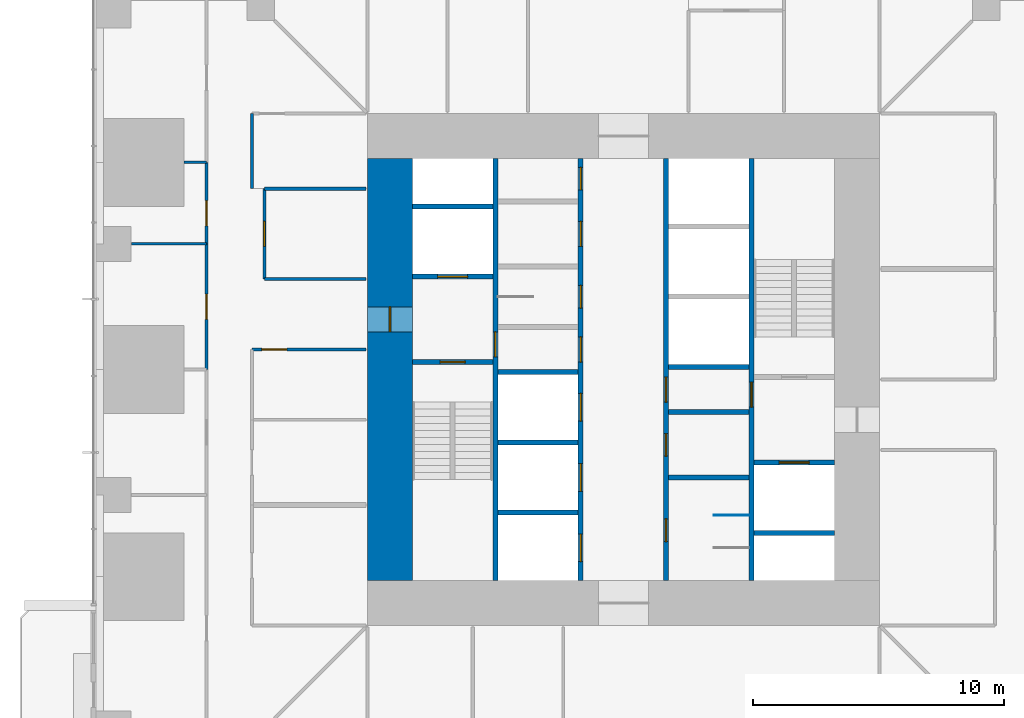
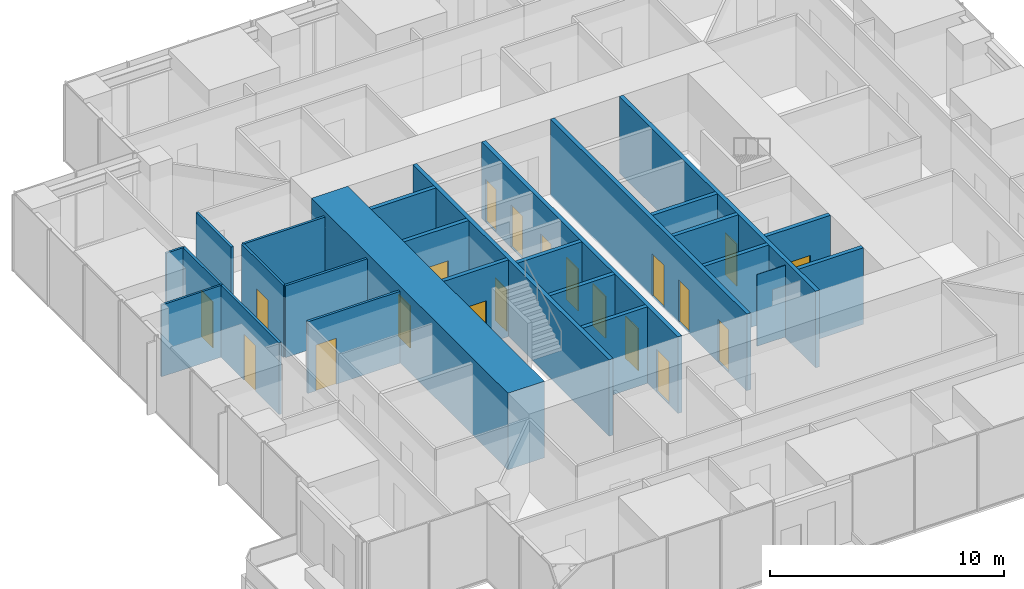
# One storey, part 12 of 18: 26 walls, 20 doors, 20 openings.
"""IFC4 building model written with IfcOpenShell, lengths in metres."""

from ifc_helpers import new_model, si_unit, direction, frame, frame_2d, origin, place, context, subcontext, project, spatial, rectangle, extrude, material, layer, layer_set, type_object, element, fill, save


model = new_model("IFC4")

# Units and contexts
model_context = context("Model", 3, precision=1e-05, world=origin(), true_north=direction((0.0, 1.0)))
body_context = subcontext(model_context, "Body", "Model", "MODEL_VIEW")
ifc_project = project(units=[si_unit("LENGTHUNIT", "METRE"), si_unit("AREAUNIT", "SQUARE_METRE"), si_unit("VOLUMEUNIT", "CUBIC_METRE"), si_unit("PLANEANGLEUNIT", "RADIAN"), si_unit("MASSUNIT", "GRAM", prefix="KILO")], contexts=[model_context])

# Site, building, storey
site_placement = place(None, origin())
site = spatial("IfcSite", under=ifc_project, at=site_placement, CompositionType="ELEMENT")
building_placement = place(site_placement, origin())
building = spatial("IfcBuilding", under=site, at=building_placement, Name="Svetlomir Tower", CompositionType="ELEMENT")
storey_placement = place(building_placement, frame((0.0, 0.0, 78.5)))
storey = spatial("IfcBuildingStorey", under=building, at=storey_placement, Name="L18", CompositionType="ELEMENT", Elevation=78.5)

# Wall, opening, door
ifc_material_1 = material(Name="Concrete C60/75", Category="concrete")
ifc_layer_1 = layer(ifc_material_1, 0.199951171875)
ifc_layer_set_1 = layer_set([ifc_layer_1], Name="Concrete C60/75")
wall_type_1 = type_object("IfcWallType", Name="CORE INNER WALL 200", PredefinedType="SHEAR", material=ifc_layer_set_1)
wall_1_placement = place(storey_placement, frame((15.89990234375, 12.60009765625, -0.050048828125), z_axis=(0.0, 0.0, 1.0), x_axis=(0.0, 1.0, 0.0)))
wall_1 = element("IfcWall", 1, at=wall_1_placement, inside=storey, type_object=wall_type_1, Name="Core inner wall 15.9 L18", PredefinedType="SHEAR", context=body_context, shape_type="SweptSolid", body=[
    extrude(rectangle(XDim=16.7998046875, YDim=0.199951171875, at=frame_2d((8.39990234375, 0.0))), origin(), (0.0, 0.0, 1.0), 4.0),
])
opening_1_placement = place(wall_1_placement, frame((8.89990234375, 0.0, 0.050048828125)))
opening_1 = element("IfcOpeningElement", 2, at=opening_1_placement, cuts=wall_1, Name="Opening DF", PredefinedType="OPENING", context=body_context, shape_type="SweptSolid", body=[
    extrude(rectangle(XDim=1.0, YDim=2.199951171875, at=frame_2d((0.5, 1.10009765625))), frame((0.0, 0.10986328125, 0.0), z_axis=(0.0, -1.0, 0.0), x_axis=(1.0, 0.0, 0.0)), (0.0, 0.0, 1.0), 0.219970703125),
])
ifc_material_2 = material(Name="Steel fire door", Category="steel")
door_type_1 = type_object("IfcDoorType", Name="DOOR DF 1000x2200", OperationType="SINGLE_SWING_LEFT", PredefinedType="DOOR", material=ifc_material_2)
door_1_placement = place(opening_1_placement, origin())
door_1 = element("IfcDoor", 3, at=door_1_placement, inside=storey, type_object=door_type_1, Name="Core corridor west door L18", OperationType="SINGLE_SWING_LEFT", OverallHeight=2.199951171875, OverallWidth=1.0, PredefinedType="DOOR", context=body_context, shape_type="SweptSolid", body=[
    extrude(rectangle(XDim=1.0, YDim=2.199951171875, at=frame_2d((0.5, 1.10009765625))), frame((0.0, 0.02490234375, 0.0), z_axis=(0.0, -1.0, 0.0), x_axis=(1.0, 0.0, 0.0)), (0.0, 0.0, 1.0), 0.050048828125),
])
fill(opening_1, door_1)

# Wall, openings, doors
wall_2_placement = place(storey_placement, frame((19.300048828125, 12.60009765625, -0.050048828125), z_axis=(0.0, 0.0, 1.0), x_axis=(0.0, 1.0, 0.0)))
wall_2 = element("IfcWall", 4, at=wall_2_placement, inside=storey, type_object=wall_type_1, Name="Core inner wall 19.3 L18", PredefinedType="SHEAR", context=body_context, shape_type="SweptSolid", body=[
    extrude(rectangle(XDim=16.7998046875, YDim=0.199951171875, at=frame_2d((8.39990234375, 0.0))), origin(), (0.0, 0.0, 1.0), 4.0),
])
opening_2_placement = place(wall_2_placement, frame((8.699951171875, 0.0, 0.050048828125)))
opening_2 = element("IfcOpeningElement", 5, at=opening_2_placement, cuts=wall_2, Name="Opening DC", PredefinedType="OPENING", context=body_context, shape_type="SweptSolid", body=[
    extrude(rectangle(XDim=1.0, YDim=2.199951171875, at=frame_2d((0.5, 1.10009765625))), frame((0.0, 0.10986328125, 0.0), z_axis=(0.0, -1.0, 0.0), x_axis=(1.0, 0.0, 0.0)), (0.0, 0.0, 1.0), 0.219970703125),
])
opening_3_placement = place(wall_2_placement, frame((10.85009765625, 0.0, 0.050048828125)))
opening_3 = element("IfcOpeningElement", 6, at=opening_3_placement, cuts=wall_2, Name="Opening DW", PredefinedType="OPENING", context=body_context, shape_type="SweptSolid", body=[
    extrude(rectangle(XDim=0.89990234375, YDim=2.199951171875, at=frame_2d((0.449951171875, 1.10009765625))), frame((0.0, 0.10986328125, 0.0), z_axis=(0.0, -1.0, 0.0), x_axis=(1.0, 0.0, 0.0)), (0.0, 0.0, 1.0), 0.219970703125),
])
opening_4_placement = place(wall_2_placement, frame((13.300048828125, 0.0, 0.050048828125)))
opening_4 = element("IfcOpeningElement", 7, at=opening_4_placement, cuts=wall_2, Name="Opening DC", PredefinedType="OPENING", context=body_context, shape_type="SweptSolid", body=[
    extrude(rectangle(XDim=1.0, YDim=2.199951171875, at=frame_2d((0.5, 1.10009765625))), frame((0.0, 0.10986328125, 0.0), z_axis=(0.0, -1.0, 0.0), x_axis=(1.0, 0.0, 0.0)), (0.0, 0.0, 1.0), 0.219970703125),
])
opening_5_placement = place(wall_2_placement, frame((15.550048828125, 0.0, 0.050048828125)))
opening_5 = element("IfcOpeningElement", 8, at=opening_5_placement, cuts=wall_2, Name="Opening DW", PredefinedType="OPENING", context=body_context, shape_type="SweptSolid", body=[
    extrude(rectangle(XDim=0.89990234375, YDim=2.199951171875, at=frame_2d((0.449951171875, 1.10009765625))), frame((0.0, 0.10986328125, 0.0), z_axis=(0.0, -1.0, 0.0), x_axis=(1.0, 0.0, 0.0)), (0.0, 0.0, 1.0), 0.219970703125),
])
opening_6_placement = place(wall_2_placement, frame((0.75, 0.0, 0.050048828125)))
opening_6 = element("IfcOpeningElement", 9, at=opening_6_placement, cuts=wall_2, Name="Opening LD", PredefinedType="OPENING", context=body_context, shape_type="SweptSolid", body=[
    extrude(rectangle(XDim=1.10009765625, YDim=2.199951171875, at=frame_2d((0.550048828125, 1.10009765625))), frame((0.0, 0.10986328125, 0.0), z_axis=(0.0, -1.0, 0.0), x_axis=(1.0, 0.0, 0.0)), (0.0, 0.0, 1.0), 0.219970703125),
])
opening_7_placement = place(wall_2_placement, frame((3.550048828125, 0.0, 0.050048828125)))
opening_7 = element("IfcOpeningElement", 10, at=opening_7_placement, cuts=wall_2, Name="Opening LD", PredefinedType="OPENING", context=body_context, shape_type="SweptSolid", body=[
    extrude(rectangle(XDim=1.10009765625, YDim=2.199951171875, at=frame_2d((0.550048828125, 1.10009765625))), frame((0.0, 0.10986328125, 0.0), z_axis=(0.0, -1.0, 0.0), x_axis=(1.0, 0.0, 0.0)), (0.0, 0.0, 1.0), 0.219970703125),
])
opening_8_placement = place(wall_2_placement, frame((6.35009765625, 0.0, 0.050048828125)))
opening_8 = element("IfcOpeningElement", 11, at=opening_8_placement, cuts=wall_2, Name="Opening LD", PredefinedType="OPENING", context=body_context, shape_type="SweptSolid", body=[
    extrude(rectangle(XDim=1.10009765625, YDim=2.199951171875, at=frame_2d((0.550048828125, 1.10009765625))), frame((0.0, 0.10986328125, 0.0), z_axis=(0.0, -1.0, 0.0), x_axis=(1.0, 0.0, 0.0)), (0.0, 0.0, 1.0), 0.219970703125),
])
ifc_material_3 = material(Name="Timber fire door", Category="wood")
door_type_2 = type_object("IfcDoorType", Name="DOOR DC 1000x2200", OperationType="SINGLE_SWING_LEFT", PredefinedType="DOOR", material=ifc_material_3)
door_2_placement = place(opening_2_placement, origin())
door_2 = element("IfcDoor", 12, at=door_2_placement, inside=storey, type_object=door_type_2, Name="Core corridor west lobby door L18", OperationType="SINGLE_SWING_LEFT", OverallHeight=2.199951171875, OverallWidth=1.0, PredefinedType="DOOR", context=body_context, shape_type="SweptSolid", body=[
    extrude(rectangle(XDim=1.0, YDim=2.199951171875, at=frame_2d((0.5, 1.10009765625))), frame((0.0, 0.02490234375, 0.0), z_axis=(0.0, -1.0, 0.0), x_axis=(1.0, 0.0, 0.0)), (0.0, 0.0, 1.0), 0.050048828125),
])
fill(opening_2, door_2)
door_3_placement = place(opening_4_placement, origin())
door_3 = element("IfcDoor", 13, at=door_3_placement, inside=storey, type_object=door_type_2, Name="Accessible WC door L18", OperationType="SINGLE_SWING_RIGHT", OverallHeight=2.199951171875, OverallWidth=1.0, PredefinedType="DOOR", context=body_context, shape_type="SweptSolid", body=[
    extrude(rectangle(XDim=1.0, YDim=2.199951171875, at=frame_2d((0.5, 1.10009765625))), frame((0.0, 0.02490234375, 0.0), z_axis=(0.0, -1.0, 0.0), x_axis=(1.0, 0.0, 0.0)), (0.0, 0.0, 1.0), 0.050048828125),
])
fill(opening_4, door_3)
ifc_material_4 = material(Name="Timber fire door", Category="wood")
door_type_3 = type_object("IfcDoorType", Name="DOOR DW 900x2200", OperationType="SINGLE_SWING_LEFT", PredefinedType="DOOR", material=ifc_material_4)
door_4_placement = place(opening_3_placement, origin())
door_4 = element("IfcDoor", 14, at=door_4_placement, inside=storey, type_object=door_type_3, Name="Female WC door L18", OperationType="SINGLE_SWING_LEFT", OverallHeight=2.199951171875, OverallWidth=0.89990234375, PredefinedType="DOOR", context=body_context, shape_type="SweptSolid", body=[
    extrude(rectangle(XDim=0.89990234375, YDim=2.199951171875, at=frame_2d((0.449951171875, 1.10009765625))), frame((0.0, 0.02490234375, 0.0), z_axis=(0.0, -1.0, 0.0), x_axis=(1.0, 0.0, 0.0)), (0.0, 0.0, 1.0), 0.050048828125),
])
fill(opening_3, door_4)
door_5_placement = place(opening_5_placement, origin())
door_5 = element("IfcDoor", 15, at=door_5_placement, inside=storey, type_object=door_type_3, Name="First aid room door L18", OperationType="SINGLE_SWING_LEFT", OverallHeight=2.199951171875, OverallWidth=0.89990234375, PredefinedType="DOOR", context=body_context, shape_type="SweptSolid", body=[
    extrude(rectangle(XDim=0.89990234375, YDim=2.199951171875, at=frame_2d((0.449951171875, 1.10009765625))), frame((0.0, 0.02490234375, 0.0), z_axis=(0.0, -1.0, 0.0), x_axis=(1.0, 0.0, 0.0)), (0.0, 0.0, 1.0), 0.050048828125),
])
fill(opening_5, door_5)
ifc_material_5 = material(Name="Stainless steel landing door", Category="steel")
door_type_4 = type_object("IfcDoorType", Name="LIFT LANDING DOOR LD 1100x2200", OperationType="DOUBLE_DOOR_SLIDING", PredefinedType="DOOR", material=ifc_material_5)
door_6_placement = place(opening_6_placement, origin())
door_6 = element("IfcDoor", 16, at=door_6_placement, inside=storey, type_object=door_type_4, Name="Landing door lift LA1 L18", OperationType="DOUBLE_DOOR_SLIDING", OverallHeight=2.199951171875, OverallWidth=1.10009765625, PredefinedType="DOOR", context=body_context, shape_type="SweptSolid", body=[
    extrude(rectangle(XDim=1.10009765625, YDim=2.199951171875, at=frame_2d((0.550048828125, 1.10009765625))), frame((0.0, 0.02490234375, 0.0), z_axis=(0.0, -1.0, 0.0), x_axis=(1.0, 0.0, 0.0)), (0.0, 0.0, 1.0), 0.050048828125),
])
fill(opening_6, door_6)
door_7_placement = place(opening_7_placement, origin())
door_7 = element("IfcDoor", 17, at=door_7_placement, inside=storey, type_object=door_type_4, Name="Landing door lift LA2 L18", OperationType="DOUBLE_DOOR_SLIDING", OverallHeight=2.199951171875, OverallWidth=1.10009765625, PredefinedType="DOOR", context=body_context, shape_type="SweptSolid", body=[
    extrude(rectangle(XDim=1.10009765625, YDim=2.199951171875, at=frame_2d((0.550048828125, 1.10009765625))), frame((0.0, 0.02490234375, 0.0), z_axis=(0.0, -1.0, 0.0), x_axis=(1.0, 0.0, 0.0)), (0.0, 0.0, 1.0), 0.050048828125),
])
fill(opening_7, door_7)
door_8_placement = place(opening_8_placement, origin())
door_8 = element("IfcDoor", 18, at=door_8_placement, inside=storey, type_object=door_type_4, Name="Landing door lift LA3 L18", OperationType="DOUBLE_DOOR_SLIDING", OverallHeight=2.199951171875, OverallWidth=1.10009765625, PredefinedType="DOOR", context=body_context, shape_type="SweptSolid", body=[
    extrude(rectangle(XDim=1.10009765625, YDim=2.199951171875, at=frame_2d((0.550048828125, 1.10009765625))), frame((0.0, 0.02490234375, 0.0), z_axis=(0.0, -1.0, 0.0), x_axis=(1.0, 0.0, 0.0)), (0.0, 0.0, 1.0), 0.050048828125),
])
fill(opening_8, door_8)

wall_3_placement = place(storey_placement, frame((22.699951171875, 12.60009765625, -0.050048828125), z_axis=(0.0, 0.0, 1.0), x_axis=(0.0, 1.0, 0.0)))
wall_3 = element("IfcWall", 19, at=wall_3_placement, inside=storey, type_object=wall_type_1, Name="Core inner wall 22.7 L18", PredefinedType="SHEAR", context=body_context, shape_type="SweptSolid", body=[
    extrude(rectangle(XDim=16.7998046875, YDim=0.199951171875, at=frame_2d((8.39990234375, 0.0))), origin(), (0.0, 0.0, 1.0), 4.0),
])
opening_9_placement = place(wall_3_placement, frame((7.10009765625, 0.0, 0.050048828125)))
opening_9 = element("IfcOpeningElement", 20, at=opening_9_placement, cuts=wall_3, Name="Opening DC", PredefinedType="OPENING", context=body_context, shape_type="SweptSolid", body=[
    extrude(rectangle(XDim=1.0, YDim=2.199951171875, at=frame_2d((0.5, 1.10009765625))), frame((0.0, 0.10986328125, 0.0), z_axis=(0.0, -1.0, 0.0), x_axis=(1.0, 0.0, 0.0)), (0.0, 0.0, 1.0), 0.219970703125),
])
opening_10_placement = place(wall_3_placement, frame((1.550048828125, 0.0, 0.050048828125)))
opening_10 = element("IfcOpeningElement", 21, at=opening_10_placement, cuts=wall_3, Name="Opening DW", PredefinedType="OPENING", context=body_context, shape_type="SweptSolid", body=[
    extrude(rectangle(XDim=0.89990234375, YDim=2.199951171875, at=frame_2d((0.449951171875, 1.10009765625))), frame((0.0, 0.10986328125, 0.0), z_axis=(0.0, -1.0, 0.0), x_axis=(1.0, 0.0, 0.0)), (0.0, 0.0, 1.0), 0.219970703125),
])
opening_11_placement = place(wall_3_placement, frame((4.949951171875, 0.0, 0.050048828125)))
opening_11 = element("IfcOpeningElement", 22, at=opening_11_placement, cuts=wall_3, Name="Opening DW", PredefinedType="OPENING", context=body_context, shape_type="SweptSolid", body=[
    extrude(rectangle(XDim=0.89990234375, YDim=2.199951171875, at=frame_2d((0.449951171875, 1.10009765625))), frame((0.0, 0.10986328125, 0.0), z_axis=(0.0, -1.0, 0.0), x_axis=(1.0, 0.0, 0.0)), (0.0, 0.0, 1.0), 0.219970703125),
])
door_9_placement = place(opening_9_placement, origin())
door_9 = element("IfcDoor", 23, at=door_9_placement, inside=storey, type_object=door_type_2, Name="Core corridor east lobby door L18", OperationType="SINGLE_SWING_RIGHT", OverallHeight=2.199951171875, OverallWidth=1.0, PredefinedType="DOOR", context=body_context, shape_type="SweptSolid", body=[
    extrude(rectangle(XDim=1.0, YDim=2.199951171875, at=frame_2d((0.5, 1.10009765625))), frame((0.0, 0.02490234375, 0.0), z_axis=(0.0, -1.0, 0.0), x_axis=(1.0, 0.0, 0.0)), (0.0, 0.0, 1.0), 0.050048828125),
])
fill(opening_9, door_9)
door_10_placement = place(opening_10_placement, origin())
door_10 = element("IfcDoor", 24, at=door_10_placement, inside=storey, type_object=door_type_3, Name="Male WC door L18", OperationType="SINGLE_SWING_RIGHT", OverallHeight=2.199951171875, OverallWidth=0.89990234375, PredefinedType="DOOR", context=body_context, shape_type="SweptSolid", body=[
    extrude(rectangle(XDim=0.89990234375, YDim=2.199951171875, at=frame_2d((0.449951171875, 1.10009765625))), frame((0.0, 0.02490234375, 0.0), z_axis=(0.0, -1.0, 0.0), x_axis=(1.0, 0.0, 0.0)), (0.0, 0.0, 1.0), 0.050048828125),
])
fill(opening_10, door_10)
door_11_placement = place(opening_11_placement, origin())
door_11 = element("IfcDoor", 25, at=door_11_placement, inside=storey, type_object=door_type_3, Name="Comms room door L18", OperationType="SINGLE_SWING_LEFT", OverallHeight=2.199951171875, OverallWidth=0.89990234375, PredefinedType="DOOR", context=body_context, shape_type="SweptSolid", body=[
    extrude(rectangle(XDim=0.89990234375, YDim=2.199951171875, at=frame_2d((0.449951171875, 1.10009765625))), frame((0.0, 0.02490234375, 0.0), z_axis=(0.0, -1.0, 0.0), x_axis=(1.0, 0.0, 0.0)), (0.0, 0.0, 1.0), 0.050048828125),
])
fill(opening_11, door_11)

# Wall, opening, door
wall_4_placement = place(storey_placement, frame((26.10009765625, 12.60009765625, -0.050048828125), z_axis=(0.0, 0.0, 1.0), x_axis=(0.0, 1.0, 0.0)))
wall_4 = element("IfcWall", 26, at=wall_4_placement, inside=storey, type_object=wall_type_1, Name="Core inner wall 26.1 L18", PredefinedType="SHEAR", context=body_context, shape_type="SweptSolid", body=[
    extrude(rectangle(XDim=16.7998046875, YDim=0.199951171875, at=frame_2d((8.39990234375, 0.0))), origin(), (0.0, 0.0, 1.0), 4.0),
])
opening_12_placement = place(wall_4_placement, frame((6.89990234375, 0.0, 0.050048828125)))
opening_12 = element("IfcOpeningElement", 27, at=opening_12_placement, cuts=wall_4, Name="Opening DF", PredefinedType="OPENING", context=body_context, shape_type="SweptSolid", body=[
    extrude(rectangle(XDim=1.0, YDim=2.199951171875, at=frame_2d((0.5, 1.10009765625))), frame((0.0, 0.10986328125, 0.0), z_axis=(0.0, -1.0, 0.0), x_axis=(1.0, 0.0, 0.0)), (0.0, 0.0, 1.0), 0.219970703125),
])
door_12_placement = place(opening_12_placement, origin())
door_12 = element("IfcDoor", 28, at=door_12_placement, inside=storey, type_object=door_type_1, Name="Core corridor east door L18", OperationType="SINGLE_SWING_LEFT", OverallHeight=2.199951171875, OverallWidth=1.0, PredefinedType="DOOR", context=body_context, shape_type="SweptSolid", body=[
    extrude(rectangle(XDim=1.0, YDim=2.199951171875, at=frame_2d((0.5, 1.10009765625))), frame((0.0, 0.02490234375, 0.0), z_axis=(0.0, -1.0, 0.0), x_axis=(1.0, 0.0, 0.0)), (0.0, 0.0, 1.0), 0.050048828125),
])
fill(opening_12, door_12)

wall_5_placement = place(storey_placement, frame((12.60009765625, 21.300048828125, -0.050048828125), z_axis=(0.0, 0.0, 1.0), x_axis=(1.0, 0.0, 0.0)))
wall_5 = element("IfcWall", 29, at=wall_5_placement, inside=storey, type_object=wall_type_1, Name="Core inner wall 12.6-15.8/21.3 L18", PredefinedType="SHEAR", context=body_context, shape_type="SweptSolid", body=[
    extrude(rectangle(XDim=3.199951171875, YDim=0.199951171875, at=frame_2d((1.60009765625, 0.0))), origin(), (0.0, 0.0, 1.0), 4.0),
])
opening_13_placement = place(wall_5_placement, frame((1.10009765625, 0.0, 0.050048828125)))
opening_13 = element("IfcOpeningElement", 30, at=opening_13_placement, cuts=wall_5, Name="Opening DF", PredefinedType="OPENING", context=body_context, shape_type="SweptSolid", body=[
    extrude(rectangle(XDim=1.0, YDim=2.199951171875, at=frame_2d((0.5, 1.10009765625))), frame((0.0, 0.10986328125, 0.0), z_axis=(0.0, -1.0, 0.0), x_axis=(1.0, 0.0, 0.0)), (0.0, 0.0, 1.0), 0.219970703125),
])
door_13_placement = place(opening_13_placement, origin())
door_13 = element("IfcDoor", 31, at=door_13_placement, inside=storey, type_object=door_type_1, Name="Stair S1 door L18", OperationType="SINGLE_SWING_LEFT", OverallHeight=2.199951171875, OverallWidth=1.0, PredefinedType="DOOR", context=body_context, shape_type="SweptSolid", body=[
    extrude(rectangle(XDim=1.0, YDim=2.199951171875, at=frame_2d((0.5, 1.10009765625))), frame((0.0, 0.02490234375, 0.0), z_axis=(0.0, -1.0, 0.0), x_axis=(1.0, 0.0, 0.0)), (0.0, 0.0, 1.0), 0.050048828125),
])
fill(opening_13, door_13)

wall_6_placement = place(storey_placement, frame((12.60009765625, 24.699951171875, -0.050048828125), z_axis=(0.0, 0.0, 1.0), x_axis=(1.0, 0.0, 0.0)))
wall_6 = element("IfcWall", 32, at=wall_6_placement, inside=storey, type_object=wall_type_1, Name="Core inner wall 12.6-15.8/24.7 L18", PredefinedType="SHEAR", context=body_context, shape_type="SweptSolid", body=[
    extrude(rectangle(XDim=3.199951171875, YDim=0.199951171875, at=frame_2d((1.60009765625, 0.0))), origin(), (0.0, 0.0, 1.0), 4.0),
])
opening_14_placement = place(wall_6_placement, frame((1.0, 0.0, 0.050048828125)))
opening_14 = element("IfcOpeningElement", 33, at=opening_14_placement, cuts=wall_6, Name="Opening LD3", PredefinedType="OPENING", context=body_context, shape_type="SweptSolid", body=[
    extrude(rectangle(XDim=1.199951171875, YDim=2.199951171875, at=frame_2d((0.60009765625, 1.10009765625))), frame((0.0, 0.10986328125, 0.0), z_axis=(0.0, -1.0, 0.0), x_axis=(1.0, 0.0, 0.0)), (0.0, 0.0, 1.0), 0.219970703125),
])
ifc_material_6 = material(Name="Stainless steel fire-rated landing door", Category="steel")
door_type_5 = type_object("IfcDoorType", Name="FIREFIGHTING LIFT LANDING DOOR LD3 1200x2200", OperationType="DOUBLE_DOOR_SLIDING", PredefinedType="DOOR", material=ifc_material_6)
door_14_placement = place(opening_14_placement, origin())
door_14 = element("IfcDoor", 34, at=door_14_placement, inside=storey, type_object=door_type_5, Name="Landing door lift FL1 L18", OperationType="DOUBLE_DOOR_SLIDING", OverallHeight=2.199951171875, OverallWidth=1.199951171875, PredefinedType="DOOR", context=body_context, shape_type="SweptSolid", body=[
    extrude(rectangle(XDim=1.199951171875, YDim=2.199951171875, at=frame_2d((0.60009765625, 1.10009765625))), frame((0.0, 0.02490234375, 0.0), z_axis=(0.0, -1.0, 0.0), x_axis=(1.0, 0.0, 0.0)), (0.0, 0.0, 1.0), 0.050048828125),
])
fill(opening_14, door_14)

# Walls
for number, where, z_axis, x_axis, name in (
    (35, (12.60009765625, 27.5, -0.050048828125), (0.0, 0.0, 1.0), (1.0, 0.0, 0.0), "Core inner wall 12.6-15.8/27.5 L18"),
    (36, (16.0, 15.300048828125, -0.050048828125), (0.0, 0.0, 1.0), (1.0, 0.0, 0.0), "Core inner wall 16-19.2/15.3 L18"),
    (37, (16.0, 18.10009765625, -0.050048828125), (0.0, 0.0, 1.0), (1.0, 0.0, 0.0), "Core inner wall 16-19.2/18.1 L18"),
    (38, (16.0, 20.89990234375, -0.050048828125), (0.0, 0.0, 1.0), (1.0, 0.0, 0.0), "Core inner wall 16-19.2/20.9 L18"),
    (39, (22.800048828125, 16.699951171875, -0.050048828125), (0.0, 0.0, 1.0), (1.0, 0.0, 0.0), "Core inner wall 22.8-26/16.7 L18"),
    (40, (22.800048828125, 19.300048828125, -0.050048828125), (0.0, 0.0, 1.0), (1.0, 0.0, 0.0), "Core inner wall 22.8-26/19.3 L18"),
    (41, (22.800048828125, 21.10009765625, -0.050048828125), (0.0, 0.0, 1.0), (1.0, 0.0, 0.0), "Core inner wall 22.8-26/21.1 L18"),
    (42, (26.199951171875, 14.5, -0.050048828125), (0.0, 0.0, 1.0), (1.0, 0.0, 0.0), "Core inner wall 26.2-29.4/14.5 L18"),
):
    element("IfcWall", number, at=place(storey_placement, frame(where, z_axis=z_axis, x_axis=x_axis)), inside=storey, type_object=wall_type_1, Name=name, PredefinedType="SHEAR", context=body_context, shape_type="SweptSolid", body=[
        extrude(rectangle(XDim=3.199951171875, YDim=0.199951171875, at=frame_2d((1.60009765625, 0.0))), origin(), (0.0, 0.0, 1.0), 4.0),
    ])

# Wall, opening, door
wall_7_placement = place(storey_placement, frame((26.199951171875, 17.300048828125, -0.050048828125), z_axis=(0.0, 0.0, 1.0), x_axis=(1.0, 0.0, 0.0)))
wall_7 = element("IfcWall", 43, at=wall_7_placement, inside=storey, type_object=wall_type_1, Name="Core inner wall 26.2-29.4/17.3 L18", PredefinedType="SHEAR", context=body_context, shape_type="SweptSolid", body=[
    extrude(rectangle(XDim=3.199951171875, YDim=0.199951171875, at=frame_2d((1.60009765625, 0.0))), origin(), (0.0, 0.0, 1.0), 4.0),
])
opening_15_placement = place(wall_7_placement, frame((1.0, 0.0, 0.050048828125)))
opening_15 = element("IfcOpeningElement", 44, at=opening_15_placement, cuts=wall_7, Name="Opening LD3", PredefinedType="OPENING", context=body_context, shape_type="SweptSolid", body=[
    extrude(rectangle(XDim=1.199951171875, YDim=2.199951171875, at=frame_2d((0.60009765625, 1.10009765625))), frame((0.0, 0.10986328125, 0.0), z_axis=(0.0, -1.0, 0.0), x_axis=(1.0, 0.0, 0.0)), (0.0, 0.0, 1.0), 0.219970703125),
])
door_15_placement = place(opening_15_placement, origin())
door_15 = element("IfcDoor", 45, at=door_15_placement, inside=storey, type_object=door_type_5, Name="Landing door lift FL2 L18", OperationType="DOUBLE_DOOR_SLIDING", OverallHeight=2.199951171875, OverallWidth=1.199951171875, PredefinedType="DOOR", context=body_context, shape_type="SweptSolid", body=[
    extrude(rectangle(XDim=1.199951171875, YDim=2.199951171875, at=frame_2d((0.60009765625, 1.10009765625))), frame((0.0, 0.02490234375, 0.0), z_axis=(0.0, -1.0, 0.0), x_axis=(1.0, 0.0, 0.0)), (0.0, 0.0, 1.0), 0.050048828125),
])
fill(opening_15, door_15)

ifc_material_7 = material(Name="Concrete C60/75", Category="concrete")
ifc_layer_2 = layer(ifc_material_7, 1.800048828125)
ifc_layer_set_2 = layer_set([ifc_layer_2], Name="Concrete C60/75")
wall_type_2 = type_object("IfcWallType", Name="CORE WALL 1800", PredefinedType="SHEAR", material=ifc_layer_set_2)
wall_8_placement = place(storey_placement, frame((11.699951171875, 12.60009765625, -0.050048828125), z_axis=(0.0, 0.0, 1.0), x_axis=(0.0, 1.0, 0.0)))
wall_8 = element("IfcWall", 46, at=wall_8_placement, inside=storey, type_object=wall_type_2, Name="Core wall west L18", PredefinedType="SHEAR", context=body_context, shape_type="SweptSolid", body=[
    extrude(rectangle(XDim=16.7998046875, YDim=1.800048828125, at=frame_2d((8.39990234375, 0.0))), origin(), (0.0, 0.0, 1.0), 4.0),
])
opening_16_placement = place(wall_8_placement, frame((9.89990234375, 0.0, 0.050048828125)))
opening_16 = element("IfcOpeningElement", 47, at=opening_16_placement, cuts=wall_8, Name="Opening DF", PredefinedType="OPENING", context=body_context, shape_type="SweptSolid", body=[
    extrude(rectangle(XDim=1.0, YDim=2.199951171875, at=frame_2d((0.5, 1.10009765625))), frame((0.0, 0.91015625, 0.0), z_axis=(0.0, -1.0, 0.0), x_axis=(1.0, 0.0, 0.0)), (0.0, 0.0, 1.0), 1.820068359375),
])
door_16_placement = place(opening_16_placement, origin())
door_16 = element("IfcDoor", 48, at=door_16_placement, inside=storey, type_object=door_type_1, Name="Firefighting lobby west door L18", OperationType="SINGLE_SWING_LEFT", OverallHeight=2.199951171875, OverallWidth=1.0, PredefinedType="DOOR", context=body_context, shape_type="SweptSolid", body=[
    extrude(rectangle(XDim=1.0, YDim=2.199951171875, at=frame_2d((0.5, 1.10009765625))), frame((0.0, 0.02490234375, 0.0), z_axis=(0.0, -1.0, 0.0), x_axis=(1.0, 0.0, 0.0)), (0.0, 0.0, 1.0), 0.050048828125),
])
fill(opening_16, door_16)

# Walls
ifc_material_8 = material(Name="Framed laminated glass partition", Category="glass")
ifc_layer_3 = layer(ifc_material_8, 0.10009765625)
ifc_layer_set_3 = layer_set([ifc_layer_3], Name="Framed laminated glass partition")
wall_type_3 = type_object("IfcWallType", Name="GLAZED PARTITION 100", PredefinedType="PARTITIONING", material=ifc_layer_set_3)
wall_9_placement = place(storey_placement, frame((1.409912109375, 26.0, 0.0), z_axis=(0.0, 0.0, 1.0), x_axis=(1.0, 0.0, 0.0)))
element("IfcWall", 49, at=wall_9_placement, inside=storey, type_object=wall_type_3, Name="Glazed partition L18", PredefinedType="PARTITIONING", context=body_context, shape_type="SweptSolid", body=[
    extrude(rectangle(XDim=2.989990234375, YDim=0.10009765625, at=frame_2d((1.4951171875, 0.0))), origin(), (0.0, 0.0, 1.0), 3.75),
])
wall_10_placement = place(storey_placement, frame((3.510009765625, 29.25, 0.0), z_axis=(0.0, 0.0, 1.0), x_axis=(1.0, 0.0, 0.0)))
element("IfcWall", 50, at=wall_10_placement, inside=storey, type_object=wall_type_3, Name="Glazed partition L18", PredefinedType="PARTITIONING", context=body_context, shape_type="SweptSolid", body=[
    extrude(rectangle(XDim=0.889892578125, YDim=0.10009765625, at=frame_2d((0.44482421875, 0.0))), origin(), (0.0, 0.0, 1.0), 3.75),
])

# Wall, opening, door
ifc_material_9 = material(Name="Gypsum board on steel studs", Category="steel")
ifc_layer_4 = layer(ifc_material_9, 0.1201171875)
ifc_layer_set_4 = layer_set([ifc_layer_4], Name="Gypsum board on steel studs")
wall_type_4 = type_object("IfcWallType", Name="PARTITION 120", PredefinedType="PARTITIONING", material=ifc_layer_set_4)
wall_11_placement = place(storey_placement, frame((4.39990234375, 21.0, 0.0), z_axis=(0.0, 0.0, 1.0), x_axis=(0.0, 1.0, 0.0)))
wall_11 = element("IfcWall", 51, at=wall_11_placement, inside=storey, type_object=wall_type_4, Name="Partition L18", PredefinedType="PARTITIONING", context=body_context, shape_type="SweptSolid", body=[
    extrude(rectangle(XDim=5.0, YDim=0.1201171875, at=frame_2d((2.5, 0.0))), origin(), (0.0, 0.0, 1.0), 3.75),
])
opening_17_placement = place(wall_11_placement, frame((2.0, 0.0, 0.0)))
opening_17 = element("IfcOpeningElement", 52, at=opening_17_placement, cuts=wall_11, Name="Opening DG", PredefinedType="OPENING", context=body_context, shape_type="SweptSolid", body=[
    extrude(rectangle(XDim=1.0, YDim=2.39990234375, at=frame_2d((0.5, 1.199951171875))), frame((0.0, 0.070068359375, 0.0), z_axis=(0.0, -1.0, 0.0), x_axis=(1.0, 0.0, 0.0)), (0.0, 0.0, 1.0), 0.14013671875),
])
ifc_material_10 = material(Name="Framed laminated glass door", Category="glass")
door_type_6 = type_object("IfcDoorType", Name="GLAZED DOOR DG 1000x2400", OperationType="SINGLE_SWING_LEFT", PredefinedType="DOOR", material=ifc_material_10)
door_17_placement = place(opening_17_placement, origin())
door_17 = element("IfcDoor", 53, at=door_17_placement, inside=storey, type_object=door_type_6, Name="Ring corridor 3 door 2 L18", OperationType="SINGLE_SWING_LEFT", OverallHeight=2.39990234375, OverallWidth=1.0, PredefinedType="DOOR", context=body_context, shape_type="SweptSolid", body=[
    extrude(rectangle(XDim=1.0, YDim=2.39990234375, at=frame_2d((0.5, 1.199951171875))), frame((0.0, 0.02490234375, 0.0), z_axis=(0.0, -1.0, 0.0), x_axis=(1.0, 0.0, 0.0)), (0.0, 0.0, 1.0), 0.050048828125),
])
fill(opening_17, door_17)

wall_12_placement = place(storey_placement, frame((4.39990234375, 26.0, 0.0), z_axis=(0.0, 0.0, 1.0), x_axis=(0.0, 1.0, 0.0)))
wall_12 = element("IfcWall", 54, at=wall_12_placement, inside=storey, type_object=wall_type_4, Name="Partition L18", PredefinedType="PARTITIONING", context=body_context, shape_type="SweptSolid", body=[
    extrude(rectangle(XDim=3.25, YDim=0.1201171875, at=frame_2d((1.625, 0.0))), origin(), (0.0, 0.0, 1.0), 3.75),
])
opening_18_placement = place(wall_12_placement, frame((0.72509765625, 0.0, 0.0)))
opening_18 = element("IfcOpeningElement", 55, at=opening_18_placement, cuts=wall_12, Name="Opening DG", PredefinedType="OPENING", context=body_context, shape_type="SweptSolid", body=[
    extrude(rectangle(XDim=1.0, YDim=2.39990234375, at=frame_2d((0.5, 1.199951171875))), frame((0.0, 0.070068359375, 0.0), z_axis=(0.0, -1.0, 0.0), x_axis=(1.0, 0.0, 0.0)), (0.0, 0.0, 1.0), 0.14013671875),
])
door_18_placement = place(opening_18_placement, origin())
door_18 = element("IfcDoor", 56, at=door_18_placement, inside=storey, type_object=door_type_6, Name="Audit analytics room door L18", OperationType="SINGLE_SWING_LEFT", OverallHeight=2.39990234375, OverallWidth=1.0, PredefinedType="DOOR", context=body_context, shape_type="SweptSolid", body=[
    extrude(rectangle(XDim=1.0, YDim=2.39990234375, at=frame_2d((0.5, 1.199951171875))), frame((0.0, 0.02490234375, 0.0), z_axis=(0.0, -1.0, 0.0), x_axis=(1.0, 0.0, 0.0)), (0.0, 0.0, 1.0), 0.050048828125),
])
fill(opening_18, door_18)

wall_13_placement = place(storey_placement, frame((6.199951171875, 21.800048828125, 0.0), z_axis=(0.0, 0.0, 1.0), x_axis=(1.0, 0.0, 0.0)))
wall_13 = element("IfcWall", 57, at=wall_13_placement, inside=storey, type_object=wall_type_4, Name="Partition L18", PredefinedType="PARTITIONING", context=body_context, shape_type="SweptSolid", body=[
    extrude(rectangle(XDim=4.550048828125, YDim=0.1201171875, at=frame_2d((2.27490234375, 0.0))), origin(), (0.0, 0.0, 1.0), 3.75),
])
opening_19_placement = place(wall_13_placement, frame((0.39990234375, 0.0, 0.0)))
opening_19 = element("IfcOpeningElement", 58, at=opening_19_placement, cuts=wall_13, Name="Opening DG", PredefinedType="OPENING", context=body_context, shape_type="SweptSolid", body=[
    extrude(rectangle(XDim=1.0, YDim=2.39990234375, at=frame_2d((0.5, 1.199951171875))), frame((0.0, 0.070068359375, 0.0), z_axis=(0.0, -1.0, 0.0), x_axis=(1.0, 0.0, 0.0)), (0.0, 0.0, 1.0), 0.14013671875),
])
door_19_placement = place(opening_19_placement, origin())
door_19 = element("IfcDoor", 59, at=door_19_placement, inside=storey, type_object=door_type_6, Name="Ring corridor 3 door 5 L18", OperationType="SINGLE_SWING_LEFT", OverallHeight=2.39990234375, OverallWidth=1.0, PredefinedType="DOOR", context=body_context, shape_type="SweptSolid", body=[
    extrude(rectangle(XDim=1.0, YDim=2.39990234375, at=frame_2d((0.5, 1.199951171875))), frame((0.0, 0.02490234375, 0.0), z_axis=(0.0, -1.0, 0.0), x_axis=(1.0, 0.0, 0.0)), (0.0, 0.0, 1.0), 0.050048828125),
])
fill(opening_19, door_19)

# Wall
wall_14_placement = place(storey_placement, frame((6.199951171875, 28.199951171875, 0.0), z_axis=(0.0, 0.0, 1.0), x_axis=(0.0, 1.0, 0.0)))
element("IfcWall", 60, at=wall_14_placement, inside=storey, type_object=wall_type_4, Name="Partition L18", PredefinedType="PARTITIONING", context=body_context, shape_type="SweptSolid", body=[
    extrude(rectangle(XDim=3.0, YDim=0.1201171875, at=frame_2d((1.5, 0.0))), origin(), (0.0, 0.0, 1.0), 3.75),
])

# Wall, opening, door
wall_15_placement = place(storey_placement, frame((6.699951171875, 24.60009765625, 0.0), z_axis=(0.0, 0.0, 1.0), x_axis=(0.0, 1.0, 0.0)))
wall_15 = element("IfcWall", 61, at=wall_15_placement, inside=storey, type_object=wall_type_4, Name="Partition L18", PredefinedType="PARTITIONING", context=body_context, shape_type="SweptSolid", body=[
    extrude(rectangle(XDim=3.599853515625, YDim=0.1201171875, at=frame_2d((1.7998046875, 0.0))), origin(), (0.0, 0.0, 1.0), 3.75),
])
opening_20_placement = place(wall_15_placement, frame((1.300048828125, 0.0, 0.0)))
opening_20 = element("IfcOpeningElement", 62, at=opening_20_placement, cuts=wall_15, Name="Opening DR", PredefinedType="OPENING", context=body_context, shape_type="SweptSolid", body=[
    extrude(rectangle(XDim=1.0, YDim=2.199951171875, at=frame_2d((0.5, 1.10009765625))), frame((0.0, 0.070068359375, 0.0), z_axis=(0.0, -1.0, 0.0), x_axis=(1.0, 0.0, 0.0)), (0.0, 0.0, 1.0), 0.14013671875),
])
ifc_material_11 = material(Name="Timber door, glazed side light", Category="wood")
door_type_7 = type_object("IfcDoorType", Name="DOOR DR 1000x2200", OperationType="SINGLE_SWING_LEFT", PredefinedType="DOOR", material=ifc_material_11)
door_20_placement = place(opening_20_placement, origin())
door_20 = element("IfcDoor", 63, at=door_20_placement, inside=storey, type_object=door_type_7, Name="Evidence store door L18", OperationType="SINGLE_SWING_RIGHT", OverallHeight=2.199951171875, OverallWidth=1.0, PredefinedType="DOOR", context=body_context, shape_type="SweptSolid", body=[
    extrude(rectangle(XDim=1.0, YDim=2.199951171875, at=frame_2d((0.5, 1.10009765625))), frame((0.0, 0.02490234375, 0.0), z_axis=(0.0, -1.0, 0.0), x_axis=(1.0, 0.0, 0.0)), (0.0, 0.0, 1.0), 0.050048828125),
])
fill(opening_20, door_20)

# Walls
for number, where, z_axis, x_axis, name in (
    (64, (6.699951171875, 24.60009765625, 0.0), (0.0, 0.0, 1.0), (1.0, 0.0, 0.0), "Partition L18"),
    (65, (6.699951171875, 28.199951171875, 0.0), (0.0, 0.0, 1.0), (1.0, 0.0, 0.0), "Partition L18"),
):
    element("IfcWall", number, at=place(storey_placement, frame(where, z_axis=z_axis, x_axis=x_axis)), inside=storey, type_object=wall_type_4, Name=name, PredefinedType="PARTITIONING", context=body_context, shape_type="SweptSolid", body=[
        extrude(rectangle(XDim=4.050048828125, YDim=0.1201171875, at=frame_2d((2.02490234375, 0.0))), origin(), (0.0, 0.0, 1.0), 3.75),
    ])
ifc_material_12 = material(Name="Compact laminate panel", Category="plastic")
ifc_layer_5 = layer(ifc_material_12, 0.030029296875)
ifc_layer_set_5 = layer_set([ifc_layer_5], Name="Compact laminate panel")
wall_type_5 = type_object("IfcWallType", Name="WC CUBICLE PARTITION 30", PredefinedType="PARTITIONING", material=ifc_layer_set_5)
wall_16_placement = place(storey_placement, frame((24.60009765625, 15.199951171875, 0.0), z_axis=(0.0, 0.0, 1.0), x_axis=(1.0, 0.0, 0.0)))
element("IfcWall", 66, at=wall_16_placement, inside=storey, type_object=wall_type_5, Name="WC cubicle partition L18", PredefinedType="PARTITIONING", context=body_context, shape_type="SweptSolid", body=[
    extrude(rectangle(XDim=1.39990234375, YDim=0.030029296875, at=frame_2d((0.699951171875, 0.0))), origin(), (0.0, 0.0, 1.0), 3.75),
])

save(model, "model.ifc")
